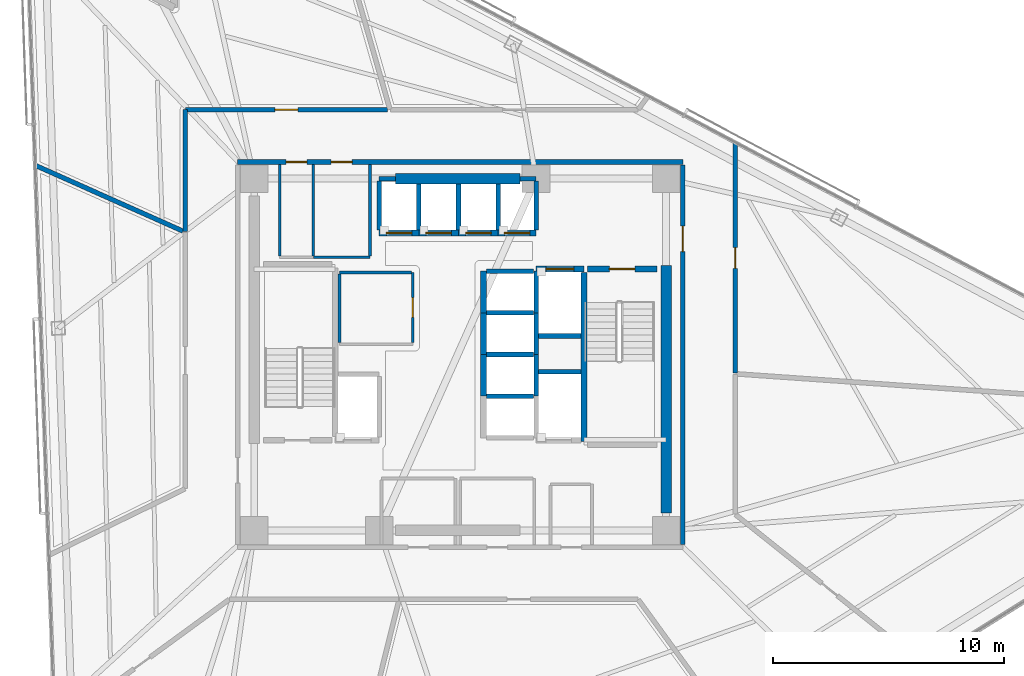
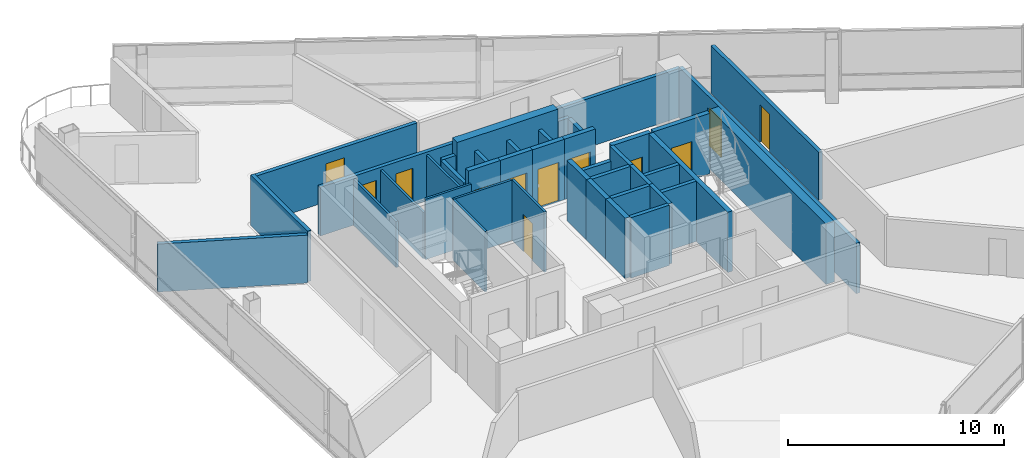
# One storey, part 13 of 21: 41 walls, 12 doors, 12 openings.
"""IFC4 building model written with IfcOpenShell, lengths in metres."""

from ifc_helpers import new_model, si_unit, direction, frame, frame_2d, origin, place, context, subcontext, project, spatial, rectangle, extrude, material, layer, layer_set, type_object, element, fill, save


model = new_model("IFC4")

# Units and contexts
model_context = context("Model", 3, precision=1e-05, world=origin(), true_north=direction((0.0, 1.0)))
body_context = subcontext(model_context, "Body", "Model", "MODEL_VIEW")
ifc_project = project(units=[si_unit("LENGTHUNIT", "METRE"), si_unit("AREAUNIT", "SQUARE_METRE"), si_unit("VOLUMEUNIT", "CUBIC_METRE"), si_unit("PLANEANGLEUNIT", "RADIAN"), si_unit("MASSUNIT", "GRAM", prefix="KILO")], contexts=[model_context])

# Site, building, storey
site_placement = place(None, origin())
site = spatial("IfcSite", under=ifc_project, at=site_placement, CompositionType="ELEMENT")
building_placement = place(site_placement, origin())
building = spatial("IfcBuilding", under=site, at=building_placement, Name="Tharavind Bronze Gate", CompositionType="ELEMENT")
storey_placement = place(building_placement, frame((0.0, 0.0, 142.39990234375)))
storey = spatial("IfcBuildingStorey", under=building, at=storey_placement, Name="L36", CompositionType="ELEMENT", Elevation=142.39990234375)

# Wall, openings, doors
ifc_material_1 = material(Name="Aerated Concrete Block", Category="concrete")
ifc_layer_1 = layer(ifc_material_1, 0.199951171875)
ifc_layer_set_1 = layer_set([ifc_layer_1], Name="Aerated Concrete Block")
wall_type_1 = type_object("IfcWallType", Name="FIRE RATED PARTITION 200", PredefinedType="PARTITIONING", material=ifc_layer_set_1)
wall_1_placement = place(storey_placement, frame((9.6201171875, 8.320068359375, 0.0), z_axis=(0.0, 0.0, 1.0), x_axis=(-1.0, 0.0, 0.0)))
wall_1 = element("IfcWall", 1, at=wall_1_placement, inside=storey, type_object=wall_type_1, Name="L36 north core corridor wall", PredefinedType="PARTITIONING", context=body_context, shape_type="SweptSolid", body=[
    extrude(rectangle(XDim=19.240234375, YDim=0.199951171875, at=frame_2d((9.6201171875, 0.0))), origin(), (0.0, 0.0, 1.0), 2.755126953125),
])
opening_1_placement = place(wall_1_placement, frame((16.2451171875, 0.0, 0.0)))
opening_1 = element("IfcOpeningElement", 2, at=opening_1_placement, cuts=wall_1, Name="Opening ID07", PredefinedType="OPENING", context=body_context, shape_type="SweptSolid", body=[
    extrude(rectangle(XDim=0.89990234375, YDim=2.10009765625, at=frame_2d((0.449951171875, 1.050048828125))), frame((0.0, 0.11009765625, 0.0), z_axis=(0.0, -1.0, 0.0), x_axis=(1.0, 0.0, 0.0)), (0.0, 0.0, 1.0), 0.219951171875),
])
opening_2_placement = place(wall_1_placement, frame((14.294921875, 0.0, 0.0)))
opening_2 = element("IfcOpeningElement", 3, at=opening_2_placement, cuts=wall_1, Name="Opening ID07", PredefinedType="OPENING", context=body_context, shape_type="SweptSolid", body=[
    extrude(rectangle(XDim=0.89990234375, YDim=2.10009765625, at=frame_2d((0.449951171875, 1.050048828125))), frame((0.0, 0.11009765625, 0.0), z_axis=(0.0, -1.0, 0.0), x_axis=(1.0, 0.0, 0.0)), (0.0, 0.0, 1.0), 0.219951171875),
])
ifc_material_2 = material(Name="Galvanised Fire Steel", Category="steel")
door_type_1 = type_object("IfcDoorType", Name="PLANT AND RISER FIRE DOOR 900X2100", OperationType="SINGLE_SWING_LEFT", PredefinedType="DOOR", material=ifc_material_2)
door_1_placement = place(opening_1_placement, frame((0.89990234375, 0.0, 0.0), z_axis=(0.0, 0.0, 1.0), x_axis=(-1.0, 0.0, 0.0)))
door_1 = element("IfcDoor", 4, at=door_1_placement, inside=storey, type_object=door_type_1, Name="L36 Battery Backup Cupboard fire door", OperationType="SINGLE_SWING_LEFT", OverallHeight=2.10009765625, OverallWidth=0.89990234375, PredefinedType="DOOR", context=body_context, shape_type="SweptSolid", body=[
    extrude(rectangle(XDim=0.89990234375, YDim=2.10009765625, at=frame_2d((0.449951171875, 1.050048828125))), frame((0.0, 0.02490234375, 0.0), z_axis=(0.0, -1.0, 0.0), x_axis=(1.0, 0.0, 0.0)), (0.0, 0.0, 1.0), 0.050048828125),
])
fill(opening_1, door_1)
door_2_placement = place(opening_2_placement, frame((0.89990234375, 0.0, 0.0), z_axis=(0.0, 0.0, 1.0), x_axis=(-1.0, 0.0, 0.0)))
door_2 = element("IfcDoor", 5, at=door_2_placement, inside=storey, type_object=door_type_1, Name="L36 Cleaner Store Room fire door", OperationType="SINGLE_SWING_LEFT", OverallHeight=2.10009765625, OverallWidth=0.89990234375, PredefinedType="DOOR", context=body_context, shape_type="SweptSolid", body=[
    extrude(rectangle(XDim=0.89990234375, YDim=2.10009765625, at=frame_2d((0.449951171875, 1.050048828125))), frame((0.0, 0.02490234375, 0.0), z_axis=(0.0, -1.0, 0.0), x_axis=(1.0, 0.0, 0.0)), (0.0, 0.0, 1.0), 0.050048828125),
])
fill(opening_2, door_2)

# Wall, opening, door
wall_2_placement = place(storey_placement, frame((9.6201171875, -8.199951171875, 0.0), z_axis=(0.0, 0.0, 1.0), x_axis=(0.0, 1.0, 0.0)))
wall_2 = element("IfcWall", 6, at=wall_2_placement, inside=storey, type_object=wall_type_1, Name="L36 east core corridor wall", PredefinedType="PARTITIONING", context=body_context, shape_type="SweptSolid", body=[
    extrude(rectangle(XDim=16.39990234375, YDim=0.199951171875, at=frame_2d((8.199951171875, 0.0))), origin(), (0.0, 0.0, 1.0), 2.85498046875),
])
opening_3_placement = place(wall_2_placement, frame((12.64990234375, 0.0, 0.0)))
opening_3 = element("IfcOpeningElement", 7, at=opening_3_placement, cuts=wall_2, Name="Opening ID01", PredefinedType="OPENING", context=body_context, shape_type="SweptSolid", body=[
    extrude(rectangle(XDim=1.10009765625, YDim=2.14990234375, at=frame_2d((0.550048828125, 1.074951171875))), frame((0.0, 0.11009765625, 0.0), z_axis=(0.0, -1.0, 0.0), x_axis=(1.0, 0.0, 0.0)), (0.0, 0.0, 1.0), 0.219951171875),
])
ifc_material_3 = material(Name="Fire-Rated Steel", Category="steel")
door_type_2 = type_object("IfcDoorType", Name="STAIR CORE FIRE DOOR 1100X2150", OperationType="SINGLE_SWING_LEFT", PredefinedType="DOOR", material=ifc_material_3)
door_3_placement = place(opening_3_placement, frame((1.10009765625, 0.0, 0.0), z_axis=(0.0, 0.0, 1.0), x_axis=(-1.0, 0.0, 0.0)))
door_3 = element("IfcDoor", 8, at=door_3_placement, inside=storey, type_object=door_type_2, Name="L36 north east stair lobby fire door", OperationType="SINGLE_SWING_LEFT", OverallHeight=2.14990234375, OverallWidth=1.10009765625, PredefinedType="DOOR", context=body_context, shape_type="SweptSolid", body=[
    extrude(rectangle(XDim=1.10009765625, YDim=2.14990234375, at=frame_2d((0.550048828125, 1.074951171875))), frame((0.0, 0.02490234375, 0.0), z_axis=(0.0, -1.0, 0.0), x_axis=(1.0, 0.0, 0.0)), (0.0, 0.0, 1.0), 0.050048828125),
])
fill(opening_3, door_3)

wall_3_placement = place(storey_placement, frame((-3.14306640625, 10.580078125, 0.0), z_axis=(0.0, 0.0, 1.0), x_axis=(-1.0, 0.0, 0.0)))
wall_3 = element("IfcWall", 9, at=wall_3_placement, inside=storey, type_object=wall_type_1, Name="L36 Bioinformatics Open Office partition", PredefinedType="PARTITIONING", context=body_context, shape_type="SweptSolid", body=[
    extrude(rectangle(XDim=8.736328125, YDim=0.199951171875, at=frame_2d((4.3681640625, 0.0))), origin(), (0.0, 0.0, 1.0), 2.755126953125),
])
opening_4_placement = place(wall_3_placement, frame((3.867919921875, 0.0, 0.0)))
opening_4 = element("IfcOpeningElement", 10, at=opening_4_placement, cuts=wall_3, Name="Opening ID04", PredefinedType="OPENING", context=body_context, shape_type="SweptSolid", body=[
    extrude(rectangle(XDim=1.0, YDim=2.14990234375, at=frame_2d((0.5, 1.074951171875))), frame((0.0, 0.11009765625, 0.0), z_axis=(0.0, -1.0, 0.0), x_axis=(1.0, 0.0, 0.0)), (0.0, 0.0, 1.0), 0.219951171875),
])
ifc_material_4 = material(Name="Bronze Framed Acoustic Timber", Category="wood")
door_type_3 = type_object("IfcDoorType", Name="OFFICE TENANCY DOOR 1000X2150", OperationType="SINGLE_SWING_RIGHT", PredefinedType="DOOR", material=ifc_material_4)
door_4_placement = place(opening_4_placement, origin())
door_4 = element("IfcDoor", 11, at=door_4_placement, inside=storey, type_object=door_type_3, Name="L36 Bioinformatics Open Office door", OperationType="SINGLE_SWING_RIGHT", OverallHeight=2.14990234375, OverallWidth=1.0, PredefinedType="DOOR", context=body_context, shape_type="SweptSolid", body=[
    extrude(rectangle(XDim=1.0, YDim=2.14990234375, at=frame_2d((0.5, 1.074951171875))), frame((0.0, 0.02490234375, 0.0), z_axis=(0.0, -1.0, 0.0), x_axis=(1.0, 0.0, 0.0)), (0.0, 0.0, 1.0), 0.050048828125),
])
fill(opening_4, door_4)

# Walls
wall_4_placement = place(storey_placement, frame((-11.8798828125, 10.579345703125, 0.0), z_axis=(0.0, 0.0, 1.0), x_axis=(0.0, -1.0, 0.0)))
element("IfcWall", 12, at=wall_4_placement, inside=storey, type_object=wall_type_1, Name="L36 Bioinformatics Open Office partition", PredefinedType="PARTITIONING", context=body_context, shape_type="SweptSolid", body=[
    extrude(rectangle(XDim=5.25146484375, YDim=0.199951171875, at=frame_2d((2.625732421875, 0.0))), origin(), (0.0, 0.0, 1.0), 2.85498046875),
])
wall_5_placement = place(storey_placement, frame((-11.985107421875, 5.336181640625, 0.0), z_axis=(0.0, 0.0, 1.0), x_axis=(-0.913541116326, 0.406746393693, 0.0)))
element("IfcWall", 13, at=wall_5_placement, inside=storey, type_object=wall_type_1, Name="L36 Bioinformatics Open Office partition", PredefinedType="PARTITIONING", context=body_context, shape_type="SweptSolid", body=[
    extrude(rectangle(XDim=6.966796875, YDim=0.199951171875, at=frame_2d((3.4833984375, 0.0))), origin(), (0.0, 0.0, 1.0), 2.705078125),
])

# Wall, opening, door
wall_6_placement = place(storey_placement, frame((11.8798828125, -0.807373046875, 0.0), z_axis=(0.0, 0.0, 1.0), x_axis=(0.0, 1.0, 0.0)))
wall_6 = element("IfcWall", 14, at=wall_6_placement, inside=storey, type_object=wall_type_1, Name="L36 Staff Tea Pantry partition", PredefinedType="PARTITIONING", context=body_context, shape_type="SweptSolid", body=[
    extrude(rectangle(XDim=9.963623046875, YDim=0.199951171875, at=frame_2d((4.98193359375, 0.0))), origin(), (0.0, 0.0, 1.0), 2.705078125),
])
opening_5_placement = place(wall_6_placement, frame((4.531982421875, 0.0, 0.0)))
opening_5 = element("IfcOpeningElement", 15, at=opening_5_placement, cuts=wall_6, Name="Opening ID07", PredefinedType="OPENING", context=body_context, shape_type="SweptSolid", body=[
    extrude(rectangle(XDim=0.89990234375, YDim=2.10009765625, at=frame_2d((0.449951171875, 1.050048828125))), frame((0.0, 0.11009765625, 0.0), z_axis=(0.0, -1.0, 0.0), x_axis=(1.0, 0.0, 0.0)), (0.0, 0.0, 1.0), 0.219951171875),
])
door_5_placement = place(opening_5_placement, origin())
door_5 = element("IfcDoor", 16, at=door_5_placement, inside=storey, type_object=door_type_1, Name="L36 Staff Tea Pantry door", OperationType="SINGLE_SWING_LEFT", OverallHeight=2.10009765625, OverallWidth=0.89990234375, PredefinedType="DOOR", context=body_context, shape_type="SweptSolid", body=[
    extrude(rectangle(XDim=0.89990234375, YDim=2.10009765625, at=frame_2d((0.449951171875, 1.050048828125))), frame((0.0, 0.02490234375, 0.0), z_axis=(0.0, -1.0, 0.0), x_axis=(1.0, 0.0, 0.0)), (0.0, 0.0, 1.0), 0.050048828125),
])
fill(opening_5, door_5)

ifc_material_5 = material(Name="Metal Stud Gypsum Partition", Category="gypsum")
ifc_layer_2 = layer(ifc_material_5, 0.1201171875)
ifc_layer_set_2 = layer_set([ifc_layer_2], Name="Metal Stud Gypsum Partition")
wall_type_2 = type_object("IfcWallType", Name="INTERIOR PARTITION WALL 120", PredefinedType="PARTITIONING", material=ifc_layer_set_2)
wall_7_placement = place(storey_placement, frame((-2.050048828125, 0.514892578125, 0.0), z_axis=(0.0, 0.0, 1.0), x_axis=(0.0, 1.0, 0.0)))
wall_7 = element("IfcWall", 17, at=wall_7_placement, inside=storey, type_object=wall_type_2, Name="L36 Electrical & Telecom Store partition 2", PredefinedType="PARTITIONING", context=body_context, shape_type="SweptSolid", body=[
    extrude(rectangle(XDim=3.03515625, YDim=0.1201171875, at=frame_2d((1.517578125, 0.0))), origin(), (0.0, 0.0, 1.0), 3.41015625),
])
opening_6_placement = place(wall_7_placement, frame((1.092041015625, 0.0, 0.0)))
opening_6 = element("IfcOpeningElement", 18, at=opening_6_placement, cuts=wall_7, Name="Opening ID06", PredefinedType="OPENING", context=body_context, shape_type="SweptSolid", body=[
    extrude(rectangle(XDim=0.85009765625, YDim=2.10009765625, at=frame_2d((0.425048828125, 1.050048828125))), frame((0.0, 0.07005859375, 0.0), z_axis=(0.0, -1.0, 0.0), x_axis=(1.0, 0.0, 0.0)), (0.0, 0.0, 1.0), 0.1401171875),
])
ifc_material_6 = material(Name="Moisture-Resistant Timber", Category="wood")
door_type_4 = type_object("IfcDoorType", Name="BATHROOM PRIVACY DOOR 850X2100", OperationType="SINGLE_SWING_RIGHT", PredefinedType="DOOR", material=ifc_material_6)
door_6_placement = place(opening_6_placement, frame((0.85009765625, 0.0, 0.0), z_axis=(0.0, 0.0, 1.0), x_axis=(-1.0, 0.0, 0.0)))
door_6 = element("IfcDoor", 19, at=door_6_placement, inside=storey, type_object=door_type_4, Name="L36 Electrical & Telecom Store door", OperationType="SINGLE_SWING_RIGHT", OverallHeight=2.10009765625, OverallWidth=0.85009765625, PredefinedType="DOOR", context=body_context, shape_type="SweptSolid", body=[
    extrude(rectangle(XDim=0.85009765625, YDim=2.10009765625, at=frame_2d((0.425048828125, 1.050048828125))), frame((0.0, 0.02490234375, 0.0), z_axis=(0.0, -1.0, 0.0), x_axis=(1.0, 0.0, 0.0)), (0.0, 0.0, 1.0), 0.050048828125),
])
fill(opening_6, door_6)

# Walls
wall_8_placement = place(storey_placement, frame((-2.114990234375, 3.550048828125, 0.0), z_axis=(0.0, 0.0, 1.0), x_axis=(-1.0, 0.0, 0.0)))
element("IfcWall", 20, at=wall_8_placement, inside=storey, type_object=wall_type_2, Name="L36 Electrical & Telecom Store partition 3", PredefinedType="PARTITIONING", context=body_context, shape_type="SweptSolid", body=[
    extrude(rectangle(XDim=3.10498046875, YDim=0.1201171875, at=frame_2d((1.552490234375, 0.0))), origin(), (0.0, 0.0, 1.0), 3.41015625),
])
wall_9_placement = place(storey_placement, frame((-5.219970703125, 3.485107421875, 0.0), z_axis=(0.0, 0.0, 1.0), x_axis=(0.0, -1.0, 0.0)))
element("IfcWall", 21, at=wall_9_placement, inside=storey, type_object=wall_type_2, Name="L36 Electrical & Telecom Store partition 4", PredefinedType="PARTITIONING", context=body_context, shape_type="SweptSolid", body=[
    extrude(rectangle(XDim=2.97021484375, YDim=0.1201171875, at=frame_2d((1.485107421875, 0.0))), origin(), (0.0, 0.0, 1.0), 3.41015625),
])
for number, where, z_axis, x_axis, name in (
    (22, (-6.35009765625, 4.264892578125, 0.0), (0.0, 0.0, 1.0), (0.0, 1.0, 0.0), "L36 Battery Backup Cupboard partition 2"),
    (23, (-7.800048828125, 8.215087890625, 0.0), (0.0, 0.0, 1.0), (0.0, -1.0, 0.0), "L36 Battery Backup Cupboard partition 4"),
):
    element("IfcWall", number, at=place(storey_placement, frame(where, z_axis=z_axis, x_axis=x_axis)), inside=storey, type_object=wall_type_2, Name=name, PredefinedType="PARTITIONING", context=body_context, shape_type="SweptSolid", body=[
        extrude(rectangle(XDim=3.9501953125, YDim=0.1201171875, at=frame_2d((1.97509765625, 0.0))), origin(), (0.0, 0.0, 1.0), 2.60498046875),
    ])
wall_10_placement = place(storey_placement, frame((-6.35009765625, 4.199951171875, 0.0), z_axis=(0.0, 0.0, 1.0), x_axis=(1.0, 0.0, 0.0)))
element("IfcWall", 24, at=wall_10_placement, inside=storey, type_object=wall_type_2, Name="L36 Cleaner Store Room partition 1", PredefinedType="PARTITIONING", context=body_context, shape_type="SweptSolid", body=[
    extrude(rectangle(XDim=2.4501953125, YDim=0.1201171875, at=frame_2d((1.22509765625, 0.0))), origin(), (0.0, 0.0, 1.0), 3.41015625),
])
wall_11_placement = place(storey_placement, frame((-3.89990234375, 4.264892578125, 0.0), z_axis=(0.0, 0.0, 1.0), x_axis=(0.0, 1.0, 0.0)))
element("IfcWall", 25, at=wall_11_placement, inside=storey, type_object=wall_type_2, Name="L36 Cleaner Store Room partition 2", PredefinedType="PARTITIONING", context=body_context, shape_type="SweptSolid", body=[
    extrude(rectangle(XDim=3.9501953125, YDim=0.1201171875, at=frame_2d((1.97509765625, 0.0))), origin(), (0.0, 0.0, 1.0), 2.60498046875),
])
ifc_material_7 = material(Name="Concrete C50/60", Category="concrete")
ifc_layer_3 = layer(ifc_material_7, 0.25)
ifc_layer_set_3 = layer_set([ifc_layer_3], Name="Concrete C50/60")
wall_type_3 = type_object("IfcWallType", Name="RC CORE SHEAR WALL 250", PredefinedType="SHEAR", material=ifc_layer_set_3)
wall_12_placement = place(storey_placement, frame((5.35009765625, -3.75, 0.0), z_axis=(0.0, 0.0, 1.0), x_axis=(0.0, 1.0, 0.0)))
element("IfcWall", 26, at=wall_12_placement, inside=storey, type_object=wall_type_3, Name="L36 ST2 shaft west wall", PredefinedType="SHEAR", context=body_context, shape_type="SweptSolid", body=[
    extrude(rectangle(XDim=7.300048828125, YDim=0.25, at=frame_2d((3.64990234375, 0.0))), origin(), (0.0, 0.0, 1.0), 3.41015625),
])

# Wall, opening, door
wall_13_placement = place(storey_placement, frame((5.5, 3.699951171875, 0.0), z_axis=(0.0, 0.0, 1.0), x_axis=(1.0, 0.0, 0.0)))
wall_13 = element("IfcWall", 27, at=wall_13_placement, inside=storey, type_object=wall_type_3, Name="L36 ST2 shaft north wall", PredefinedType="SHEAR", context=body_context, shape_type="SweptSolid", body=[
    extrude(rectangle(XDim=3.0, YDim=0.25, at=frame_2d((1.5, 0.0))), origin(), (0.0, 0.0, 1.0), 3.41015625),
])
opening_7_placement = place(wall_13_placement, frame((0.949951171875, 0.0, 0.0)))
opening_7 = element("IfcOpeningElement", 28, at=opening_7_placement, cuts=wall_13, Name="Opening ID01", PredefinedType="OPENING", context=body_context, shape_type="SweptSolid", body=[
    extrude(rectangle(XDim=1.10009765625, YDim=2.14990234375, at=frame_2d((0.550048828125, 1.074951171875))), frame((0.0, 0.135, 0.0), z_axis=(0.0, -1.0, 0.0), x_axis=(1.0, 0.0, 0.0)), (0.0, 0.0, 1.0), 0.27),
])
door_7_placement = place(opening_7_placement, frame((1.10009765625, 0.0, 0.0), z_axis=(0.0, 0.0, 1.0), x_axis=(-1.0, 0.0, 0.0)))
door_7 = element("IfcDoor", 29, at=door_7_placement, inside=storey, type_object=door_type_2, Name="L36 exit stair ST2 fire door", OperationType="SINGLE_SWING_LEFT", OverallHeight=2.14990234375, OverallWidth=1.10009765625, PredefinedType="DOOR", context=body_context, shape_type="SweptSolid", body=[
    extrude(rectangle(XDim=1.10009765625, YDim=2.14990234375, at=frame_2d((0.550048828125, 1.074951171875))), frame((0.0, 0.02490234375, 0.0), z_axis=(0.0, -1.0, 0.0), x_axis=(1.0, 0.0, 0.0)), (0.0, 0.0, 1.0), 0.050048828125),
])
fill(opening_7, door_7)

wall_14_placement = place(storey_placement, frame((-3.5, 5.25, 0.0), z_axis=(0.0, 0.0, 1.0), x_axis=(1.0, 0.0, 0.0)))
wall_14 = element("IfcWall", 30, at=wall_14_placement, inside=storey, type_object=wall_type_3, Name="L36 lift PL5 shaft front wall", PredefinedType="SHEAR", context=body_context, shape_type="SweptSolid", body=[
    extrude(rectangle(XDim=1.71240234375, YDim=0.25, at=frame_2d((0.856201171875, 0.0))), origin(), (0.0, 0.0, 1.0), 3.41015625),
])
opening_8_placement = place(wall_14_placement, frame((0.305908203125, 0.0, 0.0)))
opening_8 = element("IfcOpeningElement", 31, at=opening_8_placement, cuts=wall_14, Name="Opening LD01", PredefinedType="OPENING", context=body_context, shape_type="SweptSolid", body=[
    extrude(rectangle(XDim=1.10009765625, YDim=2.199951171875, at=frame_2d((0.550048828125, 1.10009765625))), frame((0.0, 0.135, 0.0), z_axis=(0.0, -1.0, 0.0), x_axis=(1.0, 0.0, 0.0)), (0.0, 0.0, 1.0), 0.27),
])
ifc_material_8 = material(Name="Brushed Bronze Stainless Steel", Category="steel")
door_type_5 = type_object("IfcDoorType", Name="LIFT LANDING SLIDING DOOR 1100X2200", OperationType="SLIDING_TO_LEFT", PredefinedType="DOOR", material=ifc_material_8)
door_8_placement = place(opening_8_placement, origin())
door_8 = element("IfcDoor", 32, at=door_8_placement, inside=storey, type_object=door_type_5, Name="L36 lift PL5 sliding landing door", OperationType="SLIDING_TO_LEFT", OverallHeight=2.199951171875, OverallWidth=1.10009765625, PredefinedType="DOOR", context=body_context, shape_type="SweptSolid", body=[
    extrude(rectangle(XDim=1.10009765625, YDim=2.199951171875, at=frame_2d((0.550048828125, 1.10009765625))), frame((0.0, 0.02490234375, 0.0), z_axis=(0.0, -1.0, 0.0), x_axis=(1.0, 0.0, 0.0)), (0.0, 0.0, 1.0), 0.050048828125),
])
fill(opening_8, door_8)

wall_15_placement = place(storey_placement, frame((-1.78759765625, 5.25, 0.0), z_axis=(0.0, 0.0, 1.0), x_axis=(1.0, 0.0, 0.0)))
wall_15 = element("IfcWall", 33, at=wall_15_placement, inside=storey, type_object=wall_type_3, Name="L36 lift PL6 shaft front wall", PredefinedType="SHEAR", context=body_context, shape_type="SweptSolid", body=[
    extrude(rectangle(XDim=1.712646484375, YDim=0.25, at=frame_2d((0.8564453125, 0.0))), origin(), (0.0, 0.0, 1.0), 3.41015625),
])
opening_9_placement = place(wall_15_placement, frame((0.305908203125, 0.0, 0.0)))
opening_9 = element("IfcOpeningElement", 34, at=opening_9_placement, cuts=wall_15, Name="Opening LD01", PredefinedType="OPENING", context=body_context, shape_type="SweptSolid", body=[
    extrude(rectangle(XDim=1.10009765625, YDim=2.199951171875, at=frame_2d((0.550048828125, 1.10009765625))), frame((0.0, 0.135, 0.0), z_axis=(0.0, -1.0, 0.0), x_axis=(1.0, 0.0, 0.0)), (0.0, 0.0, 1.0), 0.27),
])
door_9_placement = place(opening_9_placement, origin())
door_9 = element("IfcDoor", 35, at=door_9_placement, inside=storey, type_object=door_type_5, Name="L36 lift PL6 sliding landing door", OperationType="SLIDING_TO_LEFT", OverallHeight=2.199951171875, OverallWidth=1.10009765625, PredefinedType="DOOR", context=body_context, shape_type="SweptSolid", body=[
    extrude(rectangle(XDim=1.10009765625, YDim=2.199951171875, at=frame_2d((0.550048828125, 1.10009765625))), frame((0.0, 0.02490234375, 0.0), z_axis=(0.0, -1.0, 0.0), x_axis=(1.0, 0.0, 0.0)), (0.0, 0.0, 1.0), 0.050048828125),
])
fill(opening_9, door_9)

wall_16_placement = place(storey_placement, frame((-0.074951171875, 5.25, 0.0), z_axis=(0.0, 0.0, 1.0), x_axis=(1.0, 0.0, 0.0)))
wall_16 = element("IfcWall", 36, at=wall_16_placement, inside=storey, type_object=wall_type_3, Name="L36 lift PL7 shaft front wall", PredefinedType="SHEAR", context=body_context, shape_type="SweptSolid", body=[
    extrude(rectangle(XDim=1.71240234375, YDim=0.25, at=frame_2d((0.856201171875, 0.0))), origin(), (0.0, 0.0, 1.0), 3.41015625),
])
opening_10_placement = place(wall_16_placement, frame((0.305908203125, 0.0, 0.0)))
opening_10 = element("IfcOpeningElement", 37, at=opening_10_placement, cuts=wall_16, Name="Opening LD01", PredefinedType="OPENING", context=body_context, shape_type="SweptSolid", body=[
    extrude(rectangle(XDim=1.10009765625, YDim=2.199951171875, at=frame_2d((0.550048828125, 1.10009765625))), frame((0.0, 0.135, 0.0), z_axis=(0.0, -1.0, 0.0), x_axis=(1.0, 0.0, 0.0)), (0.0, 0.0, 1.0), 0.27),
])
door_10_placement = place(opening_10_placement, origin())
door_10 = element("IfcDoor", 38, at=door_10_placement, inside=storey, type_object=door_type_5, Name="L36 lift PL7 sliding landing door", OperationType="SLIDING_TO_LEFT", OverallHeight=2.199951171875, OverallWidth=1.10009765625, PredefinedType="DOOR", context=body_context, shape_type="SweptSolid", body=[
    extrude(rectangle(XDim=1.10009765625, YDim=2.199951171875, at=frame_2d((0.550048828125, 1.10009765625))), frame((0.0, 0.02490234375, 0.0), z_axis=(0.0, -1.0, 0.0), x_axis=(1.0, 0.0, 0.0)), (0.0, 0.0, 1.0), 0.050048828125),
])
fill(opening_10, door_10)

wall_17_placement = place(storey_placement, frame((1.637451171875, 5.25, 0.0), z_axis=(0.0, 0.0, 1.0), x_axis=(1.0, 0.0, 0.0)))
wall_17 = element("IfcWall", 39, at=wall_17_placement, inside=storey, type_object=wall_type_3, Name="L36 lift PL8 shaft front wall", PredefinedType="SHEAR", context=body_context, shape_type="SweptSolid", body=[
    extrude(rectangle(XDim=1.642578125, YDim=0.25, at=frame_2d((0.8212890625, 0.0))), origin(), (0.0, 0.0, 1.0), 3.41015625),
])
opening_11_placement = place(wall_17_placement, frame((0.27099609375, 0.0, 0.0)))
opening_11 = element("IfcOpeningElement", 40, at=opening_11_placement, cuts=wall_17, Name="Opening LD01", PredefinedType="OPENING", context=body_context, shape_type="SweptSolid", body=[
    extrude(rectangle(XDim=1.10009765625, YDim=2.199951171875, at=frame_2d((0.550048828125, 1.10009765625))), frame((0.0, 0.135, 0.0), z_axis=(0.0, -1.0, 0.0), x_axis=(1.0, 0.0, 0.0)), (0.0, 0.0, 1.0), 0.27),
])
door_11_placement = place(opening_11_placement, origin())
door_11 = element("IfcDoor", 41, at=door_11_placement, inside=storey, type_object=door_type_5, Name="L36 lift PL8 sliding landing door", OperationType="SLIDING_TO_LEFT", OverallHeight=2.199951171875, OverallWidth=1.10009765625, PredefinedType="DOOR", context=body_context, shape_type="SweptSolid", body=[
    extrude(rectangle(XDim=1.10009765625, YDim=2.199951171875, at=frame_2d((0.550048828125, 1.10009765625))), frame((0.0, 0.02490234375, 0.0), z_axis=(0.0, -1.0, 0.0), x_axis=(1.0, 0.0, 0.0)), (0.0, 0.0, 1.0), 0.050048828125),
])
fill(opening_11, door_11)

# Walls
for number, where, z_axis, x_axis, name in (
    (42, (1.0, -1.800048828125, 0.0), (0.0, 0.0, 1.0), (0.0, 1.0, 0.0), "L36 lift PL10 shaft front wall"),
    (43, (1.0, 0.0, 0.0), (0.0, 0.0, 1.0), (0.0, 1.0, 0.0), "L36 lift PL11 shaft front wall"),
    (44, (1.0, 1.800048828125, 0.0), (0.0, 0.0, 1.0), (0.0, 1.0, 0.0), "L36 lift PL12 shaft front wall"),
):
    element("IfcWall", number, at=place(storey_placement, frame(where, z_axis=z_axis, x_axis=x_axis)), inside=storey, type_object=wall_type_3, Name=name, PredefinedType="SHEAR", context=body_context, shape_type="SweptSolid", body=[
        extrude(rectangle(XDim=1.800048828125, YDim=0.25, at=frame_2d((0.89990234375, 0.0))), origin(), (0.0, 0.0, 1.0), 3.41015625),
    ])

# Wall, opening, door
wall_18_placement = place(storey_placement, frame((3.280029296875, 3.699951171875, 0.0), z_axis=(0.0, 0.0, 1.0), x_axis=(1.0, 0.0, 0.0)))
wall_18 = element("IfcWall", 45, at=wall_18_placement, inside=storey, type_object=wall_type_3, Name="L36 lift FFL2 shaft front wall", PredefinedType="SHEAR", context=body_context, shape_type="SweptSolid", body=[
    extrude(rectangle(XDim=2.070068359375, YDim=0.25, at=frame_2d((1.03515625, 0.0))), origin(), (0.0, 0.0, 1.0), 3.41015625),
])
opening_12_placement = place(wall_18_placement, frame((0.43505859375, 0.0, 0.0)))
opening_12 = element("IfcOpeningElement", 46, at=opening_12_placement, cuts=wall_18, Name="Opening LD02", PredefinedType="OPENING", context=body_context, shape_type="SweptSolid", body=[
    extrude(rectangle(XDim=1.199951171875, YDim=2.199951171875, at=frame_2d((0.60009765625, 1.10009765625))), frame((0.0, 0.135, 0.0), z_axis=(0.0, -1.0, 0.0), x_axis=(1.0, 0.0, 0.0)), (0.0, 0.0, 1.0), 0.27),
])
ifc_material_9 = material(Name="Brushed Stainless Steel", Category="steel")
door_type_6 = type_object("IfcDoorType", Name="FIREFIGHTING LIFT LANDING DOOR 1200X2200", OperationType="SLIDING_TO_RIGHT", PredefinedType="DOOR", material=ifc_material_9)
door_12_placement = place(opening_12_placement, origin())
door_12 = element("IfcDoor", 47, at=door_12_placement, inside=storey, type_object=door_type_6, Name="L36 lift FFL2 sliding landing door", OperationType="SLIDING_TO_RIGHT", OverallHeight=2.199951171875, OverallWidth=1.199951171875, PredefinedType="DOOR", context=body_context, shape_type="SweptSolid", body=[
    extrude(rectangle(XDim=1.199951171875, YDim=2.199951171875, at=frame_2d((0.60009765625, 1.10009765625))), frame((0.0, 0.02490234375, 0.0), z_axis=(0.0, -1.0, 0.0), x_axis=(1.0, 0.0, 0.0)), (0.0, 0.0, 1.0), 0.050048828125),
])
fill(opening_12, door_12)

# Walls
ifc_material_10 = material(Name="Concrete C60/75", Category="concrete")
ifc_layer_4 = layer(ifc_material_10, 0.449951171875)
ifc_layer_set_4 = layer_set([ifc_layer_4], Name="Concrete C60/75")
wall_type_4 = type_object("IfcWallType", Name="RC CORE SHEAR WALL 450", PredefinedType="SHEAR", material=ifc_layer_set_4)
wall_19_placement = place(storey_placement, frame((-2.800048828125, 7.60009765625, 0.0), z_axis=(0.0, 0.0, 1.0), x_axis=(1.0, 0.0, 0.0)))
element("IfcWall", 48, at=wall_19_placement, inside=storey, type_object=wall_type_4, Name="L36 north core shear wall", PredefinedType="SHEAR", context=body_context, shape_type="SweptSolid", body=[
    extrude(rectangle(XDim=5.380126953125, YDim=0.449951171875, at=frame_2d((2.68994140625, 0.0))), origin(), (0.0, 0.0, 1.0), 3.41015625),
])
wall_20_placement = place(storey_placement, frame((8.89990234375, -6.85009765625, 0.0), z_axis=(0.0, 0.0, 1.0), x_axis=(0.0, 1.0, 0.0)))
element("IfcWall", 49, at=wall_20_placement, inside=storey, type_object=wall_type_4, Name="L36 east core shear wall", PredefinedType="SHEAR", context=body_context, shape_type="SweptSolid", body=[
    extrude(rectangle(XDim=10.7001953125, YDim=0.449951171875, at=frame_2d((5.35009765625, 0.0))), origin(), (0.0, 0.0, 1.0), 3.41015625),
])
ifc_material_11 = material(Name="Concrete C40/50", Category="concrete")
ifc_layer_5 = layer(ifc_material_11, 0.199951171875)
ifc_layer_set_5 = layer_set([ifc_layer_5], Name="Concrete C40/50")
wall_type_5 = type_object("IfcWallType", Name="SHAFT ENCLOSURE WALL 200", PredefinedType="PARTITIONING", material=ifc_layer_set_5)
wall_21_placement = place(storey_placement, frame((-3.5, 7.60009765625, 0.0), z_axis=(0.0, 0.0, 1.0), x_axis=(1.0, 0.0, 0.0)))
element("IfcWall", 50, at=wall_21_placement, inside=storey, type_object=wall_type_5, Name="L36 lift PL5 shaft N enclosure wall", PredefinedType="PARTITIONING", context=body_context, shape_type="SweptSolid", body=[
    extrude(rectangle(XDim=0.699951171875, YDim=0.199951171875, at=frame_2d((0.35009765625, 0.0))), origin(), (0.0, 0.0, 1.0), 2.60498046875),
])
wall_22_placement = place(storey_placement, frame((-3.5, 5.3798828125, 0.0), z_axis=(0.0, 0.0, 1.0), x_axis=(0.0, 1.0, 0.0)))
element("IfcWall", 51, at=wall_22_placement, inside=storey, type_object=wall_type_5, Name="L36 lift PL5 shaft W enclosure wall", PredefinedType="PARTITIONING", context=body_context, shape_type="SweptSolid", body=[
    extrude(rectangle(XDim=2.115234375, YDim=0.199951171875, at=frame_2d((1.0576171875, 0.0))), origin(), (0.0, 0.0, 1.0), 2.60498046875),
])
for number, where, z_axis, x_axis, name in (
    (52, (-1.78759765625, 5.3798828125, 0.0), (0.0, 0.0, 1.0), (0.0, 1.0, 0.0), "L36 lift PL5 shaft E enclosure wall"),
    (53, (-0.074951171875, 5.3798828125, 0.0), (0.0, 0.0, 1.0), (0.0, 1.0, 0.0), "L36 lift PL6 shaft E enclosure wall"),
    (54, (1.637451171875, 5.3798828125, 0.0), (0.0, 0.0, 1.0), (0.0, 1.0, 0.0), "L36 lift PL7 shaft E enclosure wall"),
):
    element("IfcWall", number, at=place(storey_placement, frame(where, z_axis=z_axis, x_axis=x_axis)), inside=storey, type_object=wall_type_5, Name=name, PredefinedType="PARTITIONING", context=body_context, shape_type="SweptSolid", body=[
        extrude(rectangle(XDim=1.990234375, YDim=0.199951171875, at=frame_2d((0.9951171875, 0.0))), origin(), (0.0, 0.0, 1.0), 2.60498046875),
    ])
wall_23_placement = place(storey_placement, frame((2.580078125, 7.60009765625, 0.0), z_axis=(0.0, 0.0, 1.0), x_axis=(1.0, 0.0, 0.0)))
element("IfcWall", 55, at=wall_23_placement, inside=storey, type_object=wall_type_5, Name="L36 lift PL8 shaft N enclosure wall", PredefinedType="PARTITIONING", context=body_context, shape_type="SweptSolid", body=[
    extrude(rectangle(XDim=0.699951171875, YDim=0.199951171875, at=frame_2d((0.35009765625, 0.0))), origin(), (0.0, 0.0, 1.0), 2.60498046875),
])
wall_24_placement = place(storey_placement, frame((3.280029296875, 5.3798828125, 0.0), z_axis=(0.0, 0.0, 1.0), x_axis=(0.0, 1.0, 0.0)))
element("IfcWall", 56, at=wall_24_placement, inside=storey, type_object=wall_type_5, Name="L36 lift PL8 shaft E enclosure wall", PredefinedType="PARTITIONING", context=body_context, shape_type="SweptSolid", body=[
    extrude(rectangle(XDim=2.115234375, YDim=0.199951171875, at=frame_2d((1.0576171875, 0.0))), origin(), (0.0, 0.0, 1.0), 2.60498046875),
])
wall_25_placement = place(storey_placement, frame((1.1298828125, -1.800048828125, 0.0), z_axis=(0.0, 0.0, 1.0), x_axis=(1.0, 0.0, 0.0)))
element("IfcWall", 57, at=wall_25_placement, inside=storey, type_object=wall_type_5, Name="L36 lift PL9 shaft N enclosure wall", PredefinedType="PARTITIONING", context=body_context, shape_type="SweptSolid", body=[
    extrude(rectangle(XDim=2.045166015625, YDim=0.199951171875, at=frame_2d((1.0224609375, 0.0))), origin(), (0.0, 0.0, 1.0), 3.41015625),
])
wall_26_placement = place(storey_placement, frame((3.280029296875, -1.800048828125, 0.0), z_axis=(0.0, 0.0, 1.0), x_axis=(0.0, 1.0, 0.0)))
element("IfcWall", 58, at=wall_26_placement, inside=storey, type_object=wall_type_5, Name="L36 lift PL10 shaft E enclosure wall", PredefinedType="PARTITIONING", context=body_context, shape_type="SweptSolid", body=[
    extrude(rectangle(XDim=1.800048828125, YDim=0.199951171875, at=frame_2d((0.89990234375, 0.0))), origin(), (0.0, 0.0, 1.0), 3.41015625),
])
wall_27_placement = place(storey_placement, frame((1.1298828125, 0.0, 0.0), z_axis=(0.0, 0.0, 1.0), x_axis=(1.0, 0.0, 0.0)))
element("IfcWall", 59, at=wall_27_placement, inside=storey, type_object=wall_type_5, Name="L36 lift PL10 shaft N enclosure wall", PredefinedType="PARTITIONING", context=body_context, shape_type="SweptSolid", body=[
    extrude(rectangle(XDim=2.045166015625, YDim=0.199951171875, at=frame_2d((1.0224609375, 0.0))), origin(), (0.0, 0.0, 1.0), 3.41015625),
])
wall_28_placement = place(storey_placement, frame((3.280029296875, 0.0, 0.0), z_axis=(0.0, 0.0, 1.0), x_axis=(0.0, 1.0, 0.0)))
element("IfcWall", 60, at=wall_28_placement, inside=storey, type_object=wall_type_5, Name="L36 lift PL11 shaft E enclosure wall", PredefinedType="PARTITIONING", context=body_context, shape_type="SweptSolid", body=[
    extrude(rectangle(XDim=1.800048828125, YDim=0.199951171875, at=frame_2d((0.89990234375, 0.0))), origin(), (0.0, 0.0, 1.0), 3.41015625),
])
wall_29_placement = place(storey_placement, frame((1.1298828125, 1.800048828125, 0.0), z_axis=(0.0, 0.0, 1.0), x_axis=(1.0, 0.0, 0.0)))
element("IfcWall", 61, at=wall_29_placement, inside=storey, type_object=wall_type_5, Name="L36 lift PL11 shaft N enclosure wall", PredefinedType="PARTITIONING", context=body_context, shape_type="SweptSolid", body=[
    extrude(rectangle(XDim=2.045166015625, YDim=0.199951171875, at=frame_2d((1.0224609375, 0.0))), origin(), (0.0, 0.0, 1.0), 3.41015625),
])
wall_30_placement = place(storey_placement, frame((3.280029296875, 1.800048828125, 0.0), z_axis=(0.0, 0.0, 1.0), x_axis=(0.0, 1.0, 0.0)))
element("IfcWall", 62, at=wall_30_placement, inside=storey, type_object=wall_type_5, Name="L36 lift PL12 shaft E enclosure wall", PredefinedType="PARTITIONING", context=body_context, shape_type="SweptSolid", body=[
    extrude(rectangle(XDim=1.800048828125, YDim=0.199951171875, at=frame_2d((0.89990234375, 0.0))), origin(), (0.0, 0.0, 1.0), 3.41015625),
])
wall_31_placement = place(storey_placement, frame((1.1298828125, 3.60009765625, 0.0), z_axis=(0.0, 0.0, 1.0), x_axis=(1.0, 0.0, 0.0)))
element("IfcWall", 63, at=wall_31_placement, inside=storey, type_object=wall_type_5, Name="L36 lift PL12 shaft N enclosure wall", PredefinedType="PARTITIONING", context=body_context, shape_type="SweptSolid", body=[
    extrude(rectangle(XDim=2.045166015625, YDim=0.199951171875, at=frame_2d((1.0224609375, 0.0))), origin(), (0.0, 0.0, 1.0), 2.60498046875),
])
for number, where, z_axis, x_axis, name in (
    (64, (3.385009765625, 0.800048828125, 0.0), (0.0, 0.0, 1.0), (1.0, 0.0, 0.0), "L36 lift FFL2 shaft S enclosure wall"),
    (65, (3.385009765625, -0.75, 0.0), (0.0, 0.0, 1.0), (1.0, 0.0, 0.0), "L36 lift SVL1 shaft N enclosure wall"),
):
    element("IfcWall", number, at=place(storey_placement, frame(where, z_axis=z_axis, x_axis=x_axis)), inside=storey, type_object=wall_type_5, Name=name, PredefinedType="PARTITIONING", context=body_context, shape_type="SweptSolid", body=[
        extrude(rectangle(XDim=1.8349609375, YDim=0.199951171875, at=frame_2d((0.91748046875, 0.0))), origin(), (0.0, 0.0, 1.0), 3.41015625),
    ])

save(model, "model.ifc")
